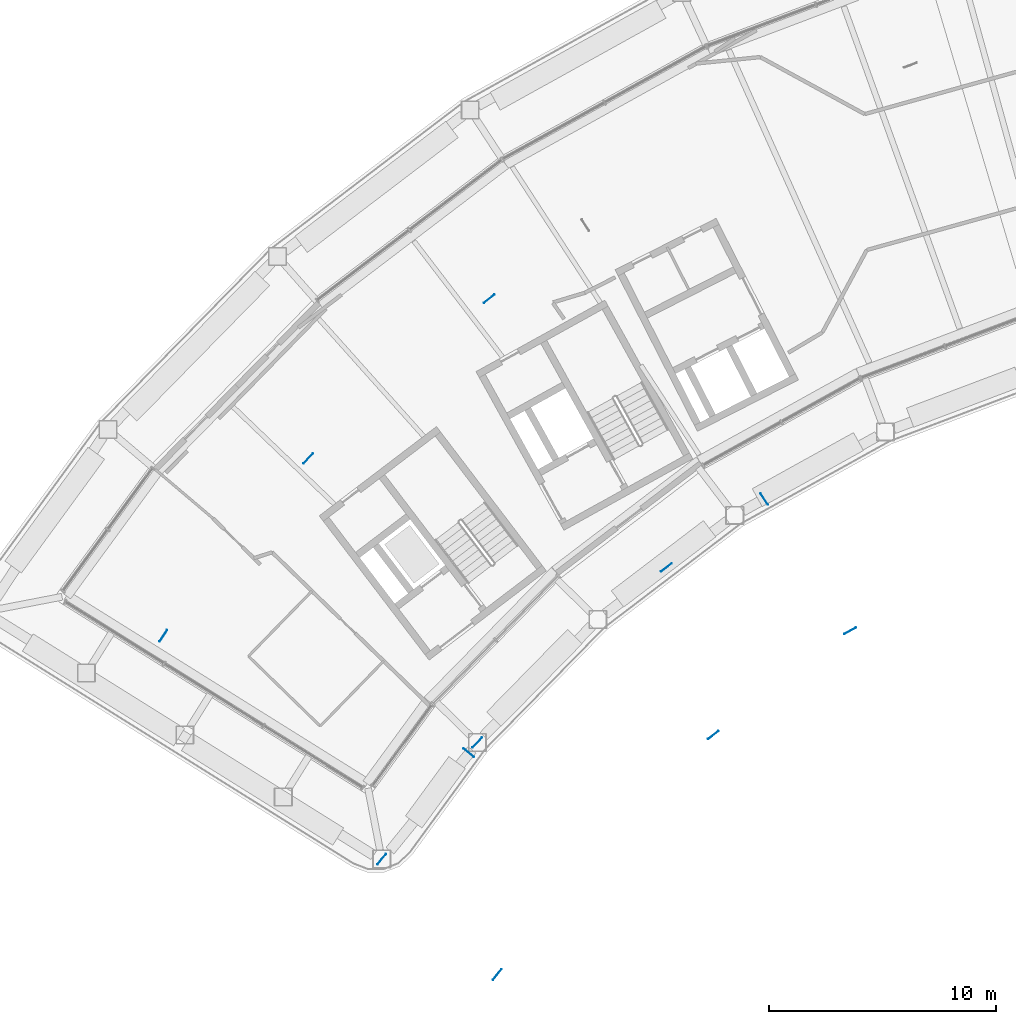
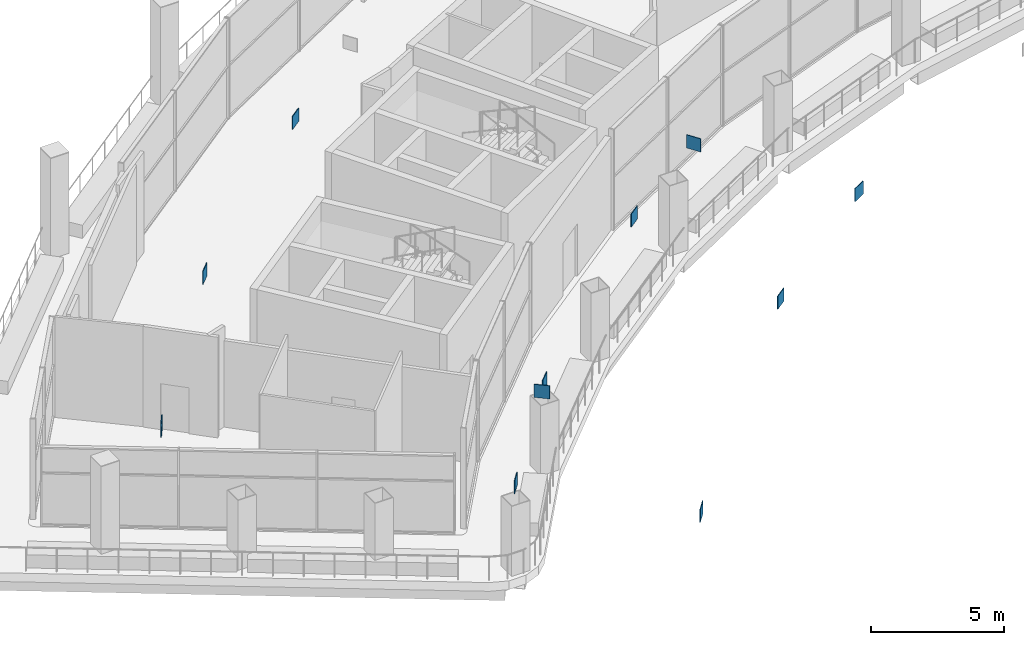
# One storey, part 21 of 29: 11 discrete accessories.
"""IFC4 building model written with IfcOpenShell, lengths in metres."""

import ifcopenshell
import ifcopenshell.guid

model = None  # the IFC model being written
_history = None  # IfcOwnerHistory: only IFC2X3 demands one
_inside = {}  # id of a spatial element -> (the spatial element, [elements in it])
_under = {}  # id of a project, library or spatial element -> (it, [spatial elements below it])
_declared = {}  # id of a project -> (the project, [libraries it declares])
_typed = {}  # id of a type object -> (the type object, [elements of that type])
_made_of = {}  # id of a material, layer set ... -> (it, [elements and type objects made of it])


def new_model(schema):
    """Start an empty IFC model of exactly this schema.

    Asked for "IFC4X3", IfcOpenShell would pick the latest addendum, in which some entities
    have other attributes; the version numbers below select the first issue.
    IFC2X3 requires an IfcOwnerHistory on every rooted entity: one is made here for all.
    """
    global model, _history
    if schema == "IFC4X3":
        model = ifcopenshell.file(schema_version=(4, 3, 0, 0))
    else:
        model = ifcopenshell.file(schema=schema)
    _inside.clear()
    _under.clear()
    _declared.clear()
    _typed.clear()
    _made_of.clear()
    _history = None
    if model.schema == "IFC2X3":
        org = make("IfcOrganization", Name="unknown")
        user = make(
            "IfcPersonAndOrganization",
            ThePerson=make("IfcPerson", FamilyName="unknown"),
            TheOrganization=org,
        )
        app = make(
            "IfcApplication",
            ApplicationDeveloper=org,
            Version="unknown",
            ApplicationFullName="unknown",
            ApplicationIdentifier="unknown",
        )
        _history = make(
            "IfcOwnerHistory",
            OwningUser=user,
            OwningApplication=app,
            ChangeAction="ADDED",
            CreationDate=0,
        )
    return model


def make(cls, **values):
    """One entity of the class cls with the attributes given. An attribute that is None is left unset."""
    return model.create_entity(
        cls, **{name: value for name, value in values.items() if value is not None}
    )


def rooted(cls, **values):
    """An entity with a GlobalId (a new one), such as an element, a storey or a relation."""
    return make(cls, GlobalId=ifcopenshell.guid.new(), OwnerHistory=_history, **values)


def si_unit(unit_type, name, prefix=None):
    """IfcSIUnit, for example si_unit("LENGTHUNIT", "METRE", prefix="MILLI")."""
    return make("IfcSIUnit", UnitType=unit_type, Prefix=prefix, Name=name)


def assignment(units):
    """IfcUnitAssignment: the units of a project."""
    return None if units is None else make("IfcUnitAssignment", Units=units)


def point(xyz):
    """IfcCartesianPoint."""
    return None if xyz is None else make("IfcCartesianPoint", Coordinates=xyz)


def direction(xyz):
    """IfcDirection."""
    return None if xyz is None else make("IfcDirection", DirectionRatios=xyz)


def frame(location, z_axis=None, x_axis=None):
    """IfcAxis2Placement3D, a coordinate frame: its origin and axes. An axis left out is left unset."""
    return make(
        "IfcAxis2Placement3D",
        Location=point(location),
        Axis=direction(z_axis),
        RefDirection=direction(x_axis),
    )


def frame_2d(location, x_axis=None):
    """IfcAxis2Placement2D, a coordinate frame in the plane: its origin and x axis."""
    return make(
        "IfcAxis2Placement2D", Location=point(location), RefDirection=direction(x_axis)
    )


def origin():
    """The frame at (0, 0, 0) with its axes left unset."""
    return frame((0.0, 0.0, 0.0))


def origin_2d():
    """The frame at (0, 0) in the plane with its x axis left unset."""
    return frame_2d((0.0, 0.0))


def place(relative_to, where):
    """IfcLocalPlacement: puts the frame where relative to a parent placement (None: the world)."""
    return make(
        "IfcLocalPlacement", PlacementRelTo=relative_to, RelativePlacement=where
    )


def context(
    kind, dimensions, precision=None, world=None, true_north=None, identifier=None
):
    """IfcGeometricRepresentationContext, for example the 3D "Model" context."""
    return make(
        "IfcGeometricRepresentationContext",
        ContextIdentifier=identifier,
        ContextType=kind,
        CoordinateSpaceDimension=dimensions,
        Precision=precision,
        WorldCoordinateSystem=world,
        TrueNorth=true_north,
    )


def subcontext(parent, identifier, kind, view, scale=None):
    """IfcGeometricRepresentationSubContext, for example "Body" below "Model"."""
    return make(
        "IfcGeometricRepresentationSubContext",
        ContextIdentifier=identifier,
        ContextType=kind,
        ParentContext=parent,
        TargetScale=scale,
        TargetView=view,
    )


def project(units=None, contexts=None):
    """IfcProject with its units and contexts."""
    return rooted(
        "IfcProject",
        Name="project",
        RepresentationContexts=contexts,
        UnitsInContext=assignment(units),
    )


def spatial(cls, under=None, at=None, **own):
    """A site, building, storey or space (cls), placed at a placement, below another one or the project."""
    s = rooted(cls, ObjectPlacement=at, **own)
    if under is not None:
        _under.setdefault(under.id(), (under, []))[1].append(s)
    return s


def profile(cls, at=None, kind="AREA", **sizes):
    """A parametric profile (cls). Its sizes go by their IFC names, for example OverallWidth=200.0."""
    return make(cls, ProfileType=kind, Position=at, **sizes)


def rectangle(**sizes):
    """IfcRectangleProfileDef."""
    return profile("IfcRectangleProfileDef", **sizes)


def extrude(swept, where, along, depth):
    """IfcExtrudedAreaSolid: the profile swept, set in the frame where, extruded along a direction by depth."""
    return make(
        "IfcExtrudedAreaSolid",
        SweptArea=swept,
        Position=where,
        ExtrudedDirection=direction(along),
        Depth=depth,
    )


def shape(context_of_items, identifier, shape_type, items):
    """IfcShapeRepresentation: the items that make up one representation, for example the "Body"."""
    return make(
        "IfcShapeRepresentation",
        ContextOfItems=context_of_items,
        RepresentationIdentifier=identifier,
        RepresentationType=shape_type,
        Items=items,
    )


def material(Name=None, Category=None):
    """IfcMaterial."""
    return make("IfcMaterial", Name=Name, Category=Category)


def made_of(thing, what):
    """Note that an element or type object is made of a material, layer set ...; save() writes the relation."""
    if what is not None:
        _made_of.setdefault(what.id(), (what, []))[1].append(thing)
    return thing


def type_object(cls, material=None, **own):
    """A type object (cls), such as IfcWallType, which elements share."""
    return made_of(rooted(cls, **own), material)


def element(
    cls,
    number,
    at=None,
    inside=None,
    cuts=None,
    type_object=None,
    material=None,
    context=None,
    identifier="Body",
    shape_type=None,
    held_by="IfcProductDefinitionShape",
    body=None,
    shapes=None,
    **own,
):
    """One element of the class cls, such as IfcWall. Its Tag is "e" and its number.

    at: its placement. inside: the storey or other place that contains it. cuts: it is an
    opening in that element (IfcRelVoidsElement). A single representation is given by context,
    identifier, shape_type and body (its items); several are given by shapes. held_by: the class
    of the entity that holds the representations. save() writes the other relations.
    """
    e = rooted(cls, Tag="e%d" % number, ObjectPlacement=at, **own)
    if body is not None:
        shapes = [shape(context, identifier, shape_type, body)]
    if shapes is not None:
        e.Representation = make(held_by, Representations=shapes)
    if inside is not None:
        _inside.setdefault(inside.id(), (inside, []))[1].append(e)
    if cuts is not None:
        rooted(
            "IfcRelVoidsElement", RelatingBuildingElement=cuts, RelatedOpeningElement=e
        )
    if type_object is not None:
        _typed.setdefault(type_object.id(), (type_object, []))[1].append(e)
    return made_of(e, material)


def aggregate(whole, parts):
    """IfcRelAggregates: a whole, such as a stair, and the parts it consists of."""
    return rooted("IfcRelAggregates", RelatingObject=whole, RelatedObjects=parts)


def save(model, path):
    """Write the relations noted so far, then the file.

    IfcRelAggregates (storeys below a building ...), IfcRelContainedInSpatialStructure (elements
    in a storey), IfcRelDefinesByType, IfcRelAssociatesMaterial and IfcRelDeclares: one each for
    every whole, place, type object, material and project.
    """
    for whole, parts in _under.values():
        aggregate(whole, parts)
    for where, things in _inside.values():
        rooted(
            "IfcRelContainedInSpatialStructure",
            RelatedElements=things,
            RelatingStructure=where,
        )
    for kind, things in _typed.values():
        rooted("IfcRelDefinesByType", RelatedObjects=things, RelatingType=kind)
    for what, things in _made_of.values():
        rooted("IfcRelAssociatesMaterial", RelatedObjects=things, RelatingMaterial=what)
    for by, libraries in _declared.values():
        rooted("IfcRelDeclares", RelatingContext=by, RelatedDefinitions=libraries)
    model.write(path)


model = new_model("IFC4")

# Units and contexts
model_context = context("Model", 3, precision=1e-05, world=origin(), true_north=direction((0.0, 1.0)))
body_context = subcontext(model_context, "Body", "Model", "MODEL_VIEW")
ifc_project = project(units=[si_unit("LENGTHUNIT", "METRE"), si_unit("AREAUNIT", "SQUARE_METRE"), si_unit("VOLUMEUNIT", "CUBIC_METRE"), si_unit("PLANEANGLEUNIT", "RADIAN"), si_unit("MASSUNIT", "GRAM", prefix="KILO")], contexts=[model_context])

# Site, building, storey
site_placement = place(None, origin())
site = spatial("IfcSite", under=ifc_project, at=site_placement, CompositionType="ELEMENT")
building_placement = place(site_placement, origin())
building = spatial("IfcBuilding", under=site, at=building_placement, Name="Tuul Gate Civic Tower", CompositionType="ELEMENT")
storey_placement = place(building_placement, frame((0.0, 0.0, 238.89990234375)))
storey = spatial("IfcBuildingStorey", under=building, at=storey_placement, Name="Sky garden level 2", CompositionType="ELEMENT", Elevation=238.89990234375)

# Discrete accessories
ifc_material = material(Name="Steel S355", Category="steel")
discrete_accessory_type = type_object("IfcDiscreteAccessoryType", Name="Gusset plate", PredefinedType="BRACKET", material=ifc_material)
for number, where, z_axis, x_axis, name in (
    (1, (-21.489990234375, -10.61962890625, 3.596435546875), (0.0, 0.0, 1.0), (-0.546689077234, 0.837335687066, 0.0), "Gusset plate"),
    (2, (-34.517578125, -21.815673828125, 3.596435546875), (0.0, 0.0, 1.0), (-0.762847958519, 0.646577908827, 0.0), "Gusset plate"),
    (3, (-33.618896484375, -1.782470703125, 3.596923828125), (0.0, 0.0, 1.0), (0.79561870498, 0.605797718951, 0.0), "Gusset plate"),
    (4, (-41.60400390625, -8.82958984375, 3.596923828125), (0.0, 0.0, 1.0), (0.700000236809, 0.714142610735, 0.0), "Gusset plate"),
    (5, (-47.990478515625, -16.64794921875, 3.5966796875), (0.0, 0.0, 1.0), (0.551645433906, 0.834078722454, 0.0), "Gusset plate"),
    (6, (-17.696044921875, -16.4296875, 3.59619140625), (0.0, 0.0, 1.0), (0.874598044765, 0.484848698146, 0.0), "Gusset plate"),
    (7, (-25.806884765625, -13.638427734375, 3.59619140625), (0.0, 0.0, 1.0), (-0.795616135693, -0.605801093284, 0.0), "Gusset plate"),
    (8, (-23.736083984375, -21.02880859375, 3.59619140625), (0.0, 0.0, 1.0), (0.795616135693, 0.605801093284, 0.0), "Gusset plate"),
    (9, (-34.141845703125, -21.35986328125, 3.595703125), (0.0, 0.0, 1.0), (0.700023993072, 0.714119324149, 0.0), "Gusset plate"),
    (10, (-33.269775390625, -31.594482421875, 3.596923828125), (0.0, 0.0, 1.0), (0.634399544235, 0.773005315813, 0.0), "Gusset plate"),
    (11, (-38.360595703125, -26.503662109375, 3.596923828125), (0.0, 0.0, 1.0), (0.634399544235, 0.773005315813, 0.0), "Gusset plate"),
):
    element("IfcDiscreteAccessory", number, at=place(storey_placement, frame(where, z_axis=z_axis, x_axis=x_axis)), inside=storey, type_object=discrete_accessory_type, Name=name, PredefinedType="BRACKET", context=body_context, shape_type="SweptSolid", body=[
        extrude(rectangle(XDim=0.60009765625, YDim=0.030029296875, at=origin_2d()), origin(), (0.0, 0.0, 1.0), 0.60009765625),
    ])

save(model, "model.ifc")
